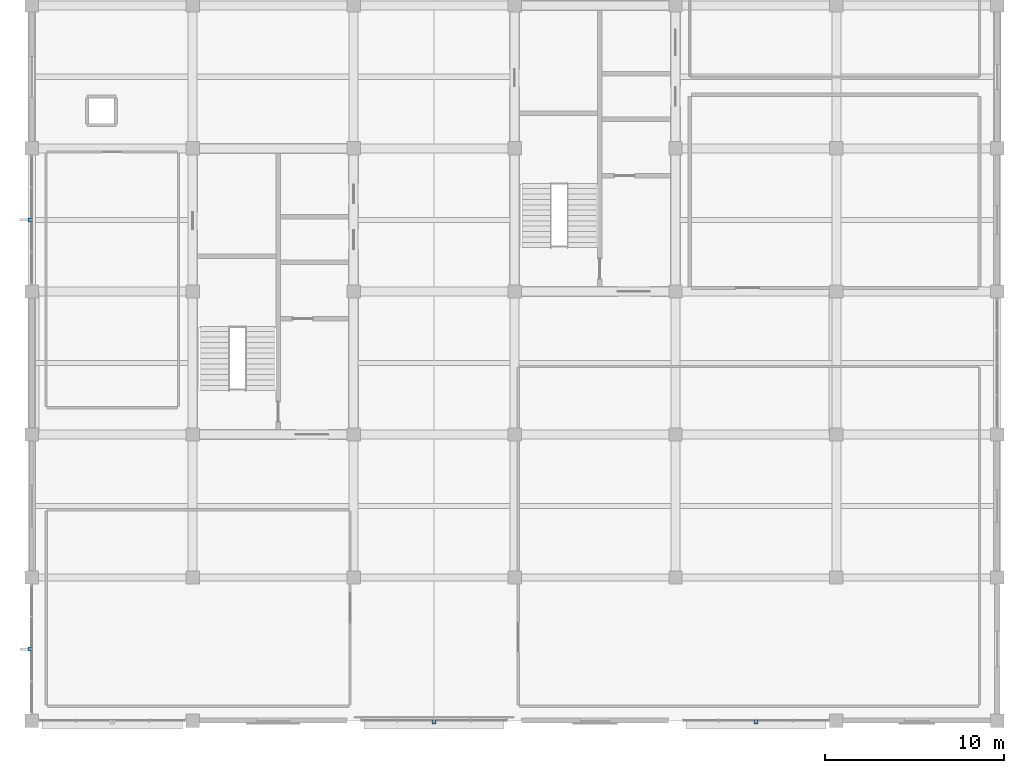
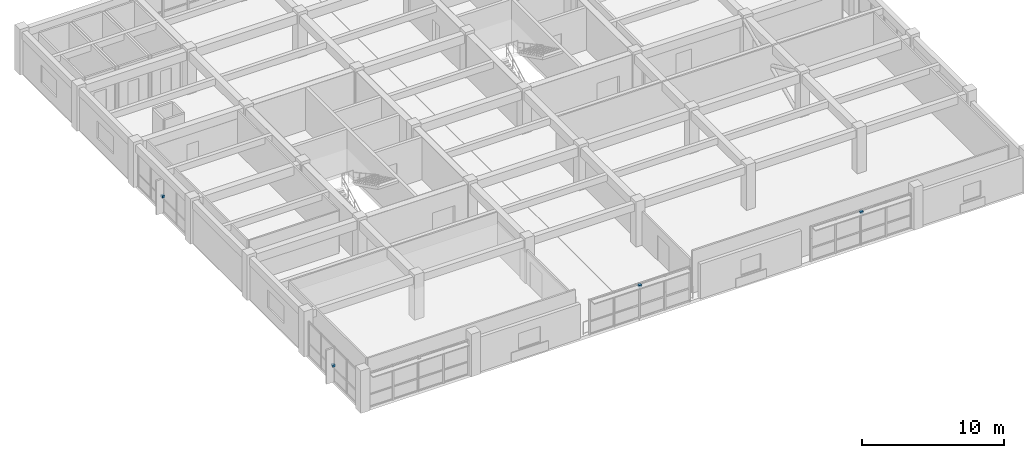
# One storey, part 14 of 15: 4 discrete accessories.
"""IFC4 building model written with IfcOpenShell, lengths in metres."""

from ifc_helpers import new_model, si_unit, direction, frame, origin, origin_2d, place, context, subcontext, project, spatial, rectangle, extrude, material, layer, layer_set, type_object, element, save


model = new_model("IFC4")

# Units and contexts
model_context = context("Model", 3, precision=1e-05, world=origin(), true_north=direction((0.0, 1.0)))
body_context = subcontext(model_context, "Body", "Model", "MODEL_VIEW")
ifc_project = project(units=[si_unit("LENGTHUNIT", "METRE"), si_unit("AREAUNIT", "SQUARE_METRE"), si_unit("VOLUMEUNIT", "CUBIC_METRE"), si_unit("PLANEANGLEUNIT", "RADIAN"), si_unit("MASSUNIT", "GRAM", prefix="KILO")], contexts=[model_context])

# Site, building, storey
site_placement = place(None, origin())
site = spatial("IfcSite", under=ifc_project, at=site_placement, CompositionType="ELEMENT")
building_placement = place(site_placement, origin())
building = spatial("IfcBuilding", under=site, at=building_placement, Name="Zaverband Oceanarium and Marine Research Institute", CompositionType="ELEMENT")
storey_placement = place(building_placement, frame((0.0, 0.0, 53.10009765625)))
storey = spatial("IfcBuildingStorey", under=building, at=storey_placement, Name="L13", CompositionType="ELEMENT", Elevation=53.10009765625)

# Discrete accessories
ifc_material = material(Name="Steel S355", Category="steel")
ifc_layer = layer(ifc_material, 0.179931640625, Name="Steel S355")
ifc_layer_set = layer_set([ifc_layer], Name="Steel S355")
discrete_accessory_type = type_object("IfcDiscreteAccessoryType", Name="BRK-STL-200", PredefinedType="BRACKET", material=ifc_layer_set)
for number, where, z_axis, x_axis, name in (
    (1, (31.5, 63.919921875, 2.75), (0.0, 0.0, 1.0), (1.0, 0.0, 0.0), "Galvanized steel facade fin structural bracket BRK-STL-200"),
    (2, (49.5, 63.919921875, 2.75), (0.0, 0.0, 1.0), (1.0, 0.0, 0.0), "Galvanized steel facade fin structural bracket BRK-STL-200"),
    (3, (8.919921875, 68.0, 1.31982421875), (0.0, 0.0, 1.0), (1.0, 0.0, 0.0), "Galvanized steel facade fin structural bracket BRK-STL-200"),
    (4, (8.919921875, 92.0, 1.31982421875), (0.0, 0.0, 1.0), (1.0, 0.0, 0.0), "Galvanized steel facade fin structural bracket BRK-STL-200"),
):
    element("IfcDiscreteAccessory", number, at=place(storey_placement, frame(where, z_axis=z_axis, x_axis=x_axis)), inside=storey, type_object=discrete_accessory_type, Name=name, PredefinedType="BRACKET", context=body_context, shape_type="SweptSolid", body=[
        extrude(rectangle(XDim=0.239990234375, YDim=0.239990234375, at=origin_2d()), origin(), (0.0, 0.0, 1.0), 0.179931640625),
    ])

save(model, "model.ifc")
